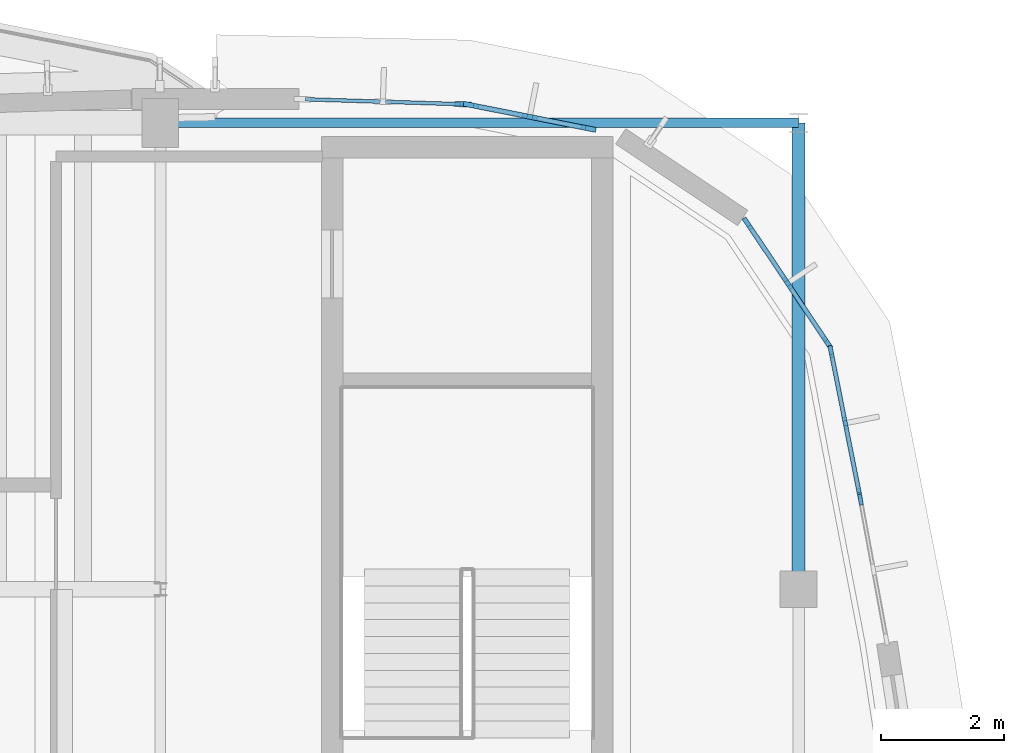
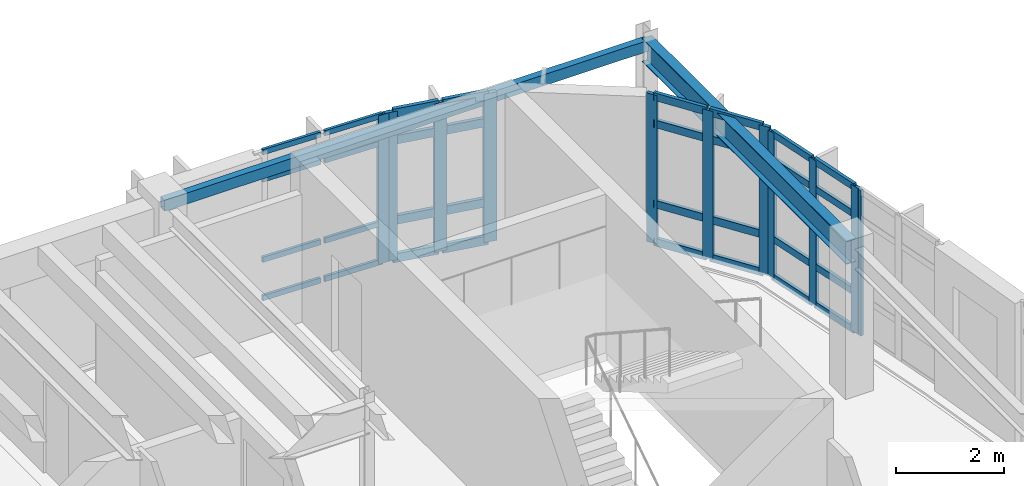
# One storey, part 11 of 20: 43 members, 2 beams, 5 elements without a shape of their own.
"""IFC4 building model written with IfcOpenShell, lengths in metres."""

from ifc_helpers import new_model, si_unit, direction, frame, origin, origin_2d, place, context, subcontext, project, spatial, rectangle, hollow_rectangle, i_section, extrude, material, material_profile, profile_set, type_object, element, aggregate, save


model = new_model("IFC4")

# Units and contexts
model_context = context("Model", 3, precision=1e-05, world=origin(), true_north=direction((0.0, 1.0)))
body_context = subcontext(model_context, "Body", "Model", "MODEL_VIEW")
ifc_project = project(units=[si_unit("LENGTHUNIT", "METRE"), si_unit("AREAUNIT", "SQUARE_METRE"), si_unit("VOLUMEUNIT", "CUBIC_METRE"), si_unit("PLANEANGLEUNIT", "RADIAN"), si_unit("MASSUNIT", "GRAM", prefix="KILO")], contexts=[model_context])

# Site, building, storey
site_placement = place(None, origin())
site = spatial("IfcSite", under=ifc_project, at=site_placement, CompositionType="ELEMENT")
building_placement = place(site_placement, origin())
building = spatial("IfcBuilding", under=site, at=building_placement, Name="Corveleigh Park Community Centre", CompositionType="ELEMENT")
storey_placement = place(building_placement, frame((0.0, 0.0, 16.199951171875)))
storey = spatial("IfcBuildingStorey", under=building, at=storey_placement, Name="L04", CompositionType="ELEMENT", Elevation=16.199951171875)

# Beam
ifc_material_1 = material(Name="Steel S355", Category="steel")
ifc_material_profile_1 = material_profile(ifc_material_1, i_section(OverallWidth=0.209228515625, OverallDepth=0.533203125, WebThickness=0.010009765625, FlangeThickness=0.015625, at=origin_2d()), Name="UKB 533x210x92", Category="steel")
ifc_profile_set_1 = profile_set([ifc_material_profile_1], Name="Steel S355")
beam_type_1 = type_object("IfcBeamType", Name="BM-STL-UKB533x92", PredefinedType="BEAM", material=ifc_profile_set_1)
beam_1_placement = place(storey_placement, frame((168.39990234375, 96.60498046875, 3.10546875), z_axis=(0.0, 1.0, 0.0), x_axis=(-1.0, 0.0, 0.0)))
element("IfcBeam", 1, at=beam_1_placement, inside=storey, type_object=beam_type_1, Name="V4 Girder Y", PredefinedType="BEAM", context=body_context, shape_type="SweptSolid", body=[
    extrude(i_section(OverallWidth=0.209228515625, OverallDepth=0.533203125, WebThickness=0.010009765625, FlangeThickness=0.015625, at=origin_2d()), origin(), (0.0, 0.0, 1.0), 7.590087890625),
])

# Curtain wall, member
ifc_material_2 = material(Name="Anodised aluminium 6063-T6", Category="aluminium")
curtain_wall_type = type_object("IfcCurtainWallType", Name="CW-SYS-V4-L03", PredefinedType="NOTDEFINED", material=ifc_material_2)
curtain_wall_1_placement = place(storey_placement, origin())
curtain_wall_1 = element("IfcCurtainWall", 2, at=curtain_wall_1_placement, inside=storey, type_object=curtain_wall_type, Name="V4 L04 Curtain Wall 452", PredefinedType="NOTDEFINED")
ifc_material_profile_2 = material_profile(ifc_material_2, rectangle(XDim=0.06494140625, YDim=0.179931640625, at=origin_2d()), Name="ALU-M65x180", Category="aluminium")
ifc_profile_set_2 = profile_set([ifc_material_profile_2], Name="Anodised aluminium 6063-T6")
member_type_1 = type_object("IfcMemberType", Name="CWM-65x180", PredefinedType="MULLION", material=ifc_profile_set_2)
member_1_placement = place(storey_placement, frame((169.406982421875, 98.06103515625, 0.0), z_axis=(0.0, 0.0, 1.0), x_axis=(0.983301463744, 0.181984151504, 0.0)))
member_1 = element("IfcMember", 3, at=member_1_placement, type_object=member_type_1, Name="CW09 mullion 1", PredefinedType="MULLION", context=body_context, shape_type="SweptSolid", body=[
    extrude(rectangle(XDim=0.06494140625, YDim=0.179931640625, at=origin_2d()), origin(), (0.0, 0.0, 1.0), 3.31201171875),
])
aggregate(curtain_wall_1, [member_1])

# Curtain wall, members
curtain_wall_2_placement = place(storey_placement, origin())
curtain_wall_2 = element("IfcCurtainWall", 4, at=curtain_wall_2_placement, inside=storey, type_object=curtain_wall_type, Name="V4 L04 Curtain Wall 453", PredefinedType="NOTDEFINED")
ifc_material_profile_3 = material_profile(ifc_material_2, rectangle(XDim=0.070068359375, YDim=0.199951171875, at=origin_2d()), Name="ALU-M70x200", Category="aluminium")
ifc_profile_set_3 = profile_set([ifc_material_profile_3], Name="Anodised aluminium 6063-T6")
member_type_2 = type_object("IfcMemberType", Name="CWM-70x200", PredefinedType="MULLION", material=ifc_profile_set_3)
member_2_placement = place(storey_placement, frame((168.9287109375, 100.470703125, 0.0), z_axis=(0.0, 0.0, 1.0), x_axis=(0.980784643134, 0.195093525756, 0.0)))
member_2 = element("IfcMember", 5, at=member_2_placement, type_object=member_type_2, Name="CW09 mullion 1", PredefinedType="MULLION", context=body_context, shape_type="SweptSolid", body=[
    extrude(rectangle(XDim=0.070068359375, YDim=0.199951171875, at=origin_2d()), origin(), (0.0, 0.0, 1.0), 3.31201171875),
])
member_3_placement = place(storey_placement, frame((169.160400390625, 99.305908203125, 0.0), z_axis=(0.0, 0.0, 1.0), x_axis=(0.980784643134, 0.195093525756, 0.0)))
member_3 = element("IfcMember", 6, at=member_3_placement, type_object=member_type_2, Name="CW09 mullion 2", PredefinedType="MULLION", context=body_context, shape_type="SweptSolid", body=[
    extrude(rectangle(XDim=0.070068359375, YDim=0.199951171875, at=origin_2d()), origin(), (0.0, 0.0, 1.0), 3.31201171875),
])
member_4_placement = place(storey_placement, frame((169.39208984375, 98.141357421875, 0.0), z_axis=(0.0, 0.0, 1.0), x_axis=(0.980784643134, 0.195093525756, 0.0)))
member_4 = element("IfcMember", 7, at=member_4_placement, type_object=member_type_2, Name="CW09 mullion 3", PredefinedType="MULLION", context=body_context, shape_type="SweptSolid", body=[
    extrude(rectangle(XDim=0.070068359375, YDim=0.199951171875, at=origin_2d()), origin(), (0.0, 0.0, 1.0), 3.31201171875),
])

curtain_wall_3_placement = place(storey_placement, origin())
curtain_wall_3 = element("IfcCurtainWall", 8, at=curtain_wall_3_placement, inside=storey, type_object=curtain_wall_type, Name="V4 L04 Curtain Wall 454", PredefinedType="NOTDEFINED")
ifc_material_profile_4 = material_profile(ifc_material_2, rectangle(XDim=0.074951171875, YDim=0.219970703125, at=origin_2d()), Name="ALU-M75x220", Category="aluminium")
ifc_profile_set_4 = profile_set([ifc_material_profile_4], Name="Anodised aluminium 6063-T6")
member_type_3 = type_object("IfcMemberType", Name="CWM-75x220", PredefinedType="MULLION", material=ifc_profile_set_4)
member_5_placement = place(storey_placement, frame((167.57080078125, 102.556884765625, 0.0), z_axis=(0.0, 0.0, 1.0), x_axis=(0.83141083453, 0.555658190101, 0.0)))
member_5 = element("IfcMember", 9, at=member_5_placement, type_object=member_type_3, Name="CW09 mullion 1", PredefinedType="MULLION", context=body_context, shape_type="SweptSolid", body=[
    extrude(rectangle(XDim=0.074951171875, YDim=0.219970703125, at=origin_2d()), origin(), (0.0, 0.0, 1.0), 3.3720703125),
])
member_6_placement = place(storey_placement, frame((168.218994140625, 101.5869140625, 0.0), z_axis=(0.0, 0.0, 1.0), x_axis=(0.83141083453, 0.555658190101, 0.0)))
member_6 = element("IfcMember", 10, at=member_6_placement, type_object=member_type_3, Name="CW09 mullion 2", PredefinedType="MULLION", context=body_context, shape_type="SweptSolid", body=[
    extrude(rectangle(XDim=0.074951171875, YDim=0.219970703125, at=origin_2d()), origin(), (0.0, 0.0, 1.0), 3.3720703125),
])
member_7_placement = place(storey_placement, frame((168.8671875, 100.6171875, 0.0), z_axis=(0.0, 0.0, 1.0), x_axis=(0.83141083453, 0.555658190101, 0.0)))
member_7 = element("IfcMember", 11, at=member_7_placement, type_object=member_type_3, Name="CW09 mullion 3", PredefinedType="MULLION", context=body_context, shape_type="SweptSolid", body=[
    extrude(rectangle(XDim=0.074951171875, YDim=0.219970703125, at=origin_2d()), origin(), (0.0, 0.0, 1.0), 3.3720703125),
])

curtain_wall_4_placement = place(storey_placement, origin())
curtain_wall_4 = element("IfcCurtainWall", 12, at=curtain_wall_4_placement, inside=storey, type_object=curtain_wall_type, Name="V4 L04 Curtain Wall 455", PredefinedType="NOTDEFINED")
ifc_material_profile_5 = material_profile(ifc_material_2, rectangle(XDim=0.080078125, YDim=0.25, at=origin_2d()), Name="ALU-M80x250", Category="aluminium")
ifc_profile_set_5 = profile_set([ifc_material_profile_5], Name="Anodised aluminium 6063-T6")
member_type_4 = type_object("IfcMemberType", Name="CWM-80x250", PredefinedType="MULLION", material=ifc_profile_set_5)
member_8_placement = place(storey_placement, frame((163.062255859375, 104.48828125, 0.0), z_axis=(0.0, 0.0, 1.0), x_axis=(0.195168256727, 0.980769775006, 0.0)))
member_8 = element("IfcMember", 13, at=member_8_placement, type_object=member_type_4, Name="CW09 mullion 1", PredefinedType="MULLION", context=body_context, shape_type="SweptSolid", body=[
    extrude(rectangle(XDim=0.080078125, YDim=0.25, at=origin_2d()), origin(), (0.0, 0.0, 1.0), 3.3720703125),
])
member_9_placement = place(storey_placement, frame((164.01806640625, 104.298095703125, 0.0), z_axis=(0.0, 0.0, 1.0), x_axis=(0.195168256727, 0.980769775006, 0.0)))
member_9 = element("IfcMember", 14, at=member_9_placement, type_object=member_type_4, Name="CW09 mullion 2", PredefinedType="MULLION", context=body_context, shape_type="SweptSolid", body=[
    extrude(rectangle(XDim=0.080078125, YDim=0.25, at=origin_2d()), origin(), (0.0, 0.0, 1.0), 3.3720703125),
])
member_10_placement = place(storey_placement, frame((164.973876953125, 104.10791015625, 0.0), z_axis=(0.0, 0.0, 1.0), x_axis=(0.195168256727, 0.980769775006, 0.0)))
member_10 = element("IfcMember", 15, at=member_10_placement, type_object=member_type_4, Name="CW09 mullion 3", PredefinedType="MULLION", context=body_context, shape_type="SweptSolid", body=[
    extrude(rectangle(XDim=0.080078125, YDim=0.25, at=origin_2d()), origin(), (0.0, 0.0, 1.0), 3.3720703125),
])

curtain_wall_5_placement = place(storey_placement, origin())
curtain_wall_5 = element("IfcCurtainWall", 16, at=curtain_wall_5_placement, inside=storey, type_object=curtain_wall_type, Name="V4 L04 Curtain Wall 456", PredefinedType="NOTDEFINED")
ifc_material_profile_6 = material_profile(ifc_material_2, rectangle(XDim=0.0849609375, YDim=0.27490234375, at=origin_2d()), Name="ALU-M85x275", Category="aluminium")
ifc_profile_set_6 = profile_set([ifc_material_profile_6], Name="Anodised aluminium 6063-T6")
member_type_5 = type_object("IfcMemberType", Name="CWM-85x275", PredefinedType="MULLION", material=ifc_profile_set_6)
member_11_placement = place(storey_placement, frame((162.9345703125, 104.50244140625, 0.0), z_axis=(0.0, 0.0, 1.0), x_axis=(0.031454254481, 0.99950519252, 0.0)))
member_11 = element("IfcMember", 17, at=member_11_placement, type_object=member_type_5, Name="CW09 mullion 3", PredefinedType="MULLION", context=body_context, shape_type="SweptSolid", body=[
    extrude(rectangle(XDim=0.0849609375, YDim=0.27490234375, at=origin_2d()), origin(), (0.0, 0.0, 1.0), 3.3720703125),
])
ifc_material_profile_7 = material_profile(ifc_material_2, rectangle(XDim=0.06005859375, YDim=0.1201171875, at=origin_2d()), Name="ALU-T60x120", Category="aluminium")
ifc_profile_set_7 = profile_set([ifc_material_profile_7], Name="Anodised aluminium 6063-T6")
member_type_6 = type_object("IfcMemberType", Name="CWT-60x120", PredefinedType="USERDEFINED", material=ifc_profile_set_7)
member_12_placement = place(storey_placement, frame((160.36083984375, 104.583251953125, 0.030029296875), z_axis=(0.999509347366, -0.031321949608, 0.0), x_axis=(0.031321949608, 0.999509347366, 0.0)))
member_12 = element("IfcMember", 18, at=member_12_placement, type_object=member_type_6, Name="CW09 transom 1.1", ObjectType="TRANSOM", PredefinedType="USERDEFINED", context=body_context, shape_type="SweptSolid", body=[
    extrude(rectangle(XDim=0.06005859375, YDim=0.1201171875, at=origin_2d()), origin(), (0.0, 0.0, 1.0), 1.2236328125),
])
member_13_placement = place(storey_placement, frame((160.36083984375, 104.583251953125, 0.900146484375), z_axis=(0.999509347366, -0.031321949608, 0.0), x_axis=(0.031321949608, 0.999509347366, 0.0)))
member_13 = element("IfcMember", 19, at=member_13_placement, type_object=member_type_6, Name="CW09 transom 1.2", ObjectType="TRANSOM", PredefinedType="USERDEFINED", context=body_context, shape_type="SweptSolid", body=[
    extrude(rectangle(XDim=0.06005859375, YDim=0.1201171875, at=origin_2d()), origin(), (0.0, 0.0, 1.0), 1.2236328125),
])
member_14_placement = place(storey_placement, frame((160.36083984375, 104.583251953125, 2.72216796875), z_axis=(0.999509347366, -0.031321949608, 0.0), x_axis=(0.031321949608, 0.999509347366, 0.0)))
member_14 = element("IfcMember", 20, at=member_14_placement, type_object=member_type_6, Name="CW09 transom 1.3", ObjectType="TRANSOM", PredefinedType="USERDEFINED", context=body_context, shape_type="SweptSolid", body=[
    extrude(rectangle(XDim=0.06005859375, YDim=0.1201171875, at=origin_2d()), origin(), (0.0, 0.0, 1.0), 1.2236328125),
])
member_15_placement = place(storey_placement, frame((160.36083984375, 104.583251953125, 3.342041015625), z_axis=(0.999509347366, -0.031321949608, 0.0), x_axis=(0.031321949608, 0.999509347366, 0.0)))
member_15 = element("IfcMember", 21, at=member_15_placement, type_object=member_type_6, Name="CW09 transom 1.4", ObjectType="TRANSOM", PredefinedType="USERDEFINED", context=body_context, shape_type="SweptSolid", body=[
    extrude(rectangle(XDim=0.06005859375, YDim=0.1201171875, at=origin_2d()), origin(), (0.0, 0.0, 1.0), 1.2236328125),
])
member_16_placement = place(storey_placement, frame((161.6689453125, 104.542236328125, 0.030029296875), z_axis=(0.999503081782, -0.031521254875, 0.0), x_axis=(0.031521254875, 0.999503081782, 0.0)))
member_16 = element("IfcMember", 22, at=member_16_placement, type_object=member_type_6, Name="CW09 transom 2.1", ObjectType="TRANSOM", PredefinedType="USERDEFINED", context=body_context, shape_type="SweptSolid", body=[
    extrude(rectangle(XDim=0.06005859375, YDim=0.1201171875, at=origin_2d()), origin(), (0.0, 0.0, 1.0), 1.2236328125),
])
member_17_placement = place(storey_placement, frame((161.6689453125, 104.542236328125, 0.900146484375), z_axis=(0.999503081782, -0.031521254875, 0.0), x_axis=(0.031521254875, 0.999503081782, 0.0)))
member_17 = element("IfcMember", 23, at=member_17_placement, type_object=member_type_6, Name="CW09 transom 2.2", ObjectType="TRANSOM", PredefinedType="USERDEFINED", context=body_context, shape_type="SweptSolid", body=[
    extrude(rectangle(XDim=0.06005859375, YDim=0.1201171875, at=origin_2d()), origin(), (0.0, 0.0, 1.0), 1.2236328125),
])
member_18_placement = place(storey_placement, frame((161.6689453125, 104.542236328125, 2.72216796875), z_axis=(0.999503081782, -0.031521254875, 0.0), x_axis=(0.031521254875, 0.999503081782, 0.0)))
member_18 = element("IfcMember", 24, at=member_18_placement, type_object=member_type_6, Name="CW09 transom 2.3", ObjectType="TRANSOM", PredefinedType="USERDEFINED", context=body_context, shape_type="SweptSolid", body=[
    extrude(rectangle(XDim=0.06005859375, YDim=0.1201171875, at=origin_2d()), origin(), (0.0, 0.0, 1.0), 1.2236328125),
])
member_19_placement = place(storey_placement, frame((161.6689453125, 104.542236328125, 3.342041015625), z_axis=(0.999503081782, -0.031521254875, 0.0), x_axis=(0.031521254875, 0.999503081782, 0.0)))
member_19 = element("IfcMember", 25, at=member_19_placement, type_object=member_type_6, Name="CW09 transom 2.4", ObjectType="TRANSOM", PredefinedType="USERDEFINED", context=body_context, shape_type="SweptSolid", body=[
    extrude(rectangle(XDim=0.06005859375, YDim=0.1201171875, at=origin_2d()), origin(), (0.0, 0.0, 1.0), 1.2236328125),
])
aggregate(curtain_wall_5, [member_11, member_12, member_13, member_14, member_15, member_16, member_17, member_18, member_19])

# Member
ifc_material_profile_8 = material_profile(ifc_material_2, rectangle(XDim=0.070068359375, YDim=0.155029296875, at=origin_2d()), Name="ALU-T70x155", Category="aluminium")
ifc_profile_set_8 = profile_set([ifc_material_profile_8], Name="Anodised aluminium 6063-T6")
member_type_7 = type_object("IfcMemberType", Name="CWT-70x155", PredefinedType="USERDEFINED", material=ifc_profile_set_8)
member_20_placement = place(storey_placement, frame((168.935546875, 100.436279296875, 0.03515625), z_axis=(0.195107636384, -0.980781836202, 0.0), x_axis=(0.980781836202, 0.195107636384, 0.0)))
member_20 = element("IfcMember", 26, at=member_20_placement, type_object=member_type_7, Name="CW09 transom 1.1", ObjectType="TRANSOM", PredefinedType="USERDEFINED", context=body_context, shape_type="SweptSolid", body=[
    extrude(rectangle(XDim=0.070068359375, YDim=0.155029296875, at=origin_2d()), origin(), (0.0, 0.0, 1.0), 1.117431640625),
])

member_21_placement = place(storey_placement, frame((168.935546875, 100.436279296875, 0.900146484375), z_axis=(0.195107636384, -0.980781836202, 0.0), x_axis=(0.980781836202, 0.195107636384, 0.0)))
member_21 = element("IfcMember", 27, at=member_21_placement, type_object=member_type_7, Name="CW09 transom 1.2", ObjectType="TRANSOM", PredefinedType="USERDEFINED", context=body_context, shape_type="SweptSolid", body=[
    extrude(rectangle(XDim=0.070068359375, YDim=0.155029296875, at=origin_2d()), origin(), (0.0, 0.0, 1.0), 1.117431640625),
])

member_22_placement = place(storey_placement, frame((168.935546875, 100.436279296875, 2.662109375), z_axis=(0.195107636384, -0.980781836202, 0.0), x_axis=(0.980781836202, 0.195107636384, 0.0)))
member_22 = element("IfcMember", 28, at=member_22_placement, type_object=member_type_7, Name="CW09 transom 1.3", ObjectType="TRANSOM", PredefinedType="USERDEFINED", context=body_context, shape_type="SweptSolid", body=[
    extrude(rectangle(XDim=0.070068359375, YDim=0.155029296875, at=origin_2d()), origin(), (0.0, 0.0, 1.0), 1.117431640625),
])

member_23_placement = place(storey_placement, frame((168.935546875, 100.436279296875, 3.277099609375), z_axis=(0.195107636384, -0.980781836202, 0.0), x_axis=(0.980781836202, 0.195107636384, 0.0)))
member_23 = element("IfcMember", 29, at=member_23_placement, type_object=member_type_7, Name="CW09 transom 1.4", ObjectType="TRANSOM", PredefinedType="USERDEFINED", context=body_context, shape_type="SweptSolid", body=[
    extrude(rectangle(XDim=0.070068359375, YDim=0.155029296875, at=origin_2d()), origin(), (0.0, 0.0, 1.0), 1.117431640625),
])

member_24_placement = place(storey_placement, frame((169.167236328125, 99.271728515625, 0.03515625), z_axis=(0.195065836192, -0.980790150619, 0.0), x_axis=(0.980790150619, 0.195065836192, 0.0)))
member_24 = element("IfcMember", 30, at=member_24_placement, type_object=member_type_7, Name="CW09 transom 2.1", ObjectType="TRANSOM", PredefinedType="USERDEFINED", context=body_context, shape_type="SweptSolid", body=[
    extrude(rectangle(XDim=0.070068359375, YDim=0.155029296875, at=origin_2d()), origin(), (0.0, 0.0, 1.0), 1.11767578125),
])

member_25_placement = place(storey_placement, frame((169.167236328125, 99.271728515625, 0.900146484375), z_axis=(0.195065836192, -0.980790150619, 0.0), x_axis=(0.980790150619, 0.195065836192, 0.0)))
member_25 = element("IfcMember", 31, at=member_25_placement, type_object=member_type_7, Name="CW09 transom 2.2", ObjectType="TRANSOM", PredefinedType="USERDEFINED", context=body_context, shape_type="SweptSolid", body=[
    extrude(rectangle(XDim=0.070068359375, YDim=0.155029296875, at=origin_2d()), origin(), (0.0, 0.0, 1.0), 1.11767578125),
])

member_26_placement = place(storey_placement, frame((169.167236328125, 99.271728515625, 2.662109375), z_axis=(0.195065836192, -0.980790150619, 0.0), x_axis=(0.980790150619, 0.195065836192, 0.0)))
member_26 = element("IfcMember", 32, at=member_26_placement, type_object=member_type_7, Name="CW09 transom 2.3", ObjectType="TRANSOM", PredefinedType="USERDEFINED", context=body_context, shape_type="SweptSolid", body=[
    extrude(rectangle(XDim=0.070068359375, YDim=0.155029296875, at=origin_2d()), origin(), (0.0, 0.0, 1.0), 1.11767578125),
])

member_27_placement = place(storey_placement, frame((169.167236328125, 99.271728515625, 3.277099609375), z_axis=(0.195065836192, -0.980790150619, 0.0), x_axis=(0.980790150619, 0.195065836192, 0.0)))
member_27 = element("IfcMember", 33, at=member_27_placement, type_object=member_type_7, Name="CW09 transom 2.4", ObjectType="TRANSOM", PredefinedType="USERDEFINED", context=body_context, shape_type="SweptSolid", body=[
    extrude(rectangle(XDim=0.070068359375, YDim=0.155029296875, at=origin_2d()), origin(), (0.0, 0.0, 1.0), 1.11767578125),
])

aggregate(curtain_wall_2, [member_2, member_3, member_4, member_20, member_21, member_22, member_23, member_24, member_25, member_26, member_27])

ifc_material_profile_9 = material_profile(ifc_material_2, rectangle(XDim=0.074951171875, YDim=0.175048828125, at=origin_2d()), Name="ALU-T75x175", Category="aluminium")
ifc_profile_set_9 = profile_set([ifc_material_profile_9], Name="Anodised aluminium 6063-T6")
member_type_8 = type_object("IfcMemberType", Name="CWT-75x175", PredefinedType="USERDEFINED", material=ifc_profile_set_9)
member_28_placement = place(storey_placement, frame((167.591552734375, 102.525634765625, 0.03759765625), z_axis=(0.555783593923, -0.831327009501, 0.0), x_axis=(0.831327009501, 0.555783593923, 0.0)))
member_28 = element("IfcMember", 34, at=member_28_placement, type_object=member_type_8, Name="CW09 transom 1.1", ObjectType="TRANSOM", PredefinedType="USERDEFINED", context=body_context, shape_type="SweptSolid", body=[
    extrude(rectangle(XDim=0.074951171875, YDim=0.175048828125, at=origin_2d()), origin(), (0.0, 0.0, 1.0), 1.091552734375),
])

member_29_placement = place(storey_placement, frame((167.591552734375, 102.525634765625, 0.900146484375), z_axis=(0.555783593923, -0.831327009501, 0.0), x_axis=(0.831327009501, 0.555783593923, 0.0)))
member_29 = element("IfcMember", 35, at=member_29_placement, type_object=member_type_8, Name="CW09 transom 1.2", ObjectType="TRANSOM", PredefinedType="USERDEFINED", context=body_context, shape_type="SweptSolid", body=[
    extrude(rectangle(XDim=0.074951171875, YDim=0.175048828125, at=origin_2d()), origin(), (0.0, 0.0, 1.0), 1.091552734375),
])

member_30_placement = place(storey_placement, frame((167.591552734375, 102.525634765625, 2.72216796875), z_axis=(0.555783593923, -0.831327009501, 0.0), x_axis=(0.831327009501, 0.555783593923, 0.0)))
member_30 = element("IfcMember", 36, at=member_30_placement, type_object=member_type_8, Name="CW09 transom 1.3", ObjectType="TRANSOM", PredefinedType="USERDEFINED", context=body_context, shape_type="SweptSolid", body=[
    extrude(rectangle(XDim=0.074951171875, YDim=0.175048828125, at=origin_2d()), origin(), (0.0, 0.0, 1.0), 1.091552734375),
])

member_31_placement = place(storey_placement, frame((167.591552734375, 102.525634765625, 3.33447265625), z_axis=(0.555783593923, -0.831327009501, 0.0), x_axis=(0.831327009501, 0.555783593923, 0.0)))
member_31 = element("IfcMember", 37, at=member_31_placement, type_object=member_type_8, Name="CW09 transom 1.4", ObjectType="TRANSOM", PredefinedType="USERDEFINED", context=body_context, shape_type="SweptSolid", body=[
    extrude(rectangle(XDim=0.074951171875, YDim=0.175048828125, at=origin_2d()), origin(), (0.0, 0.0, 1.0), 1.091552734375),
])

member_32_placement = place(storey_placement, frame((168.23974609375, 101.555908203125, 0.03759765625), z_axis=(0.555783593923, -0.831327009501, 0.0), x_axis=(0.831327009501, 0.555783593923, 0.0)))
member_32 = element("IfcMember", 38, at=member_32_placement, type_object=member_type_8, Name="CW09 transom 2.1", ObjectType="TRANSOM", PredefinedType="USERDEFINED", context=body_context, shape_type="SweptSolid", body=[
    extrude(rectangle(XDim=0.074951171875, YDim=0.175048828125, at=origin_2d()), origin(), (0.0, 0.0, 1.0), 1.091552734375),
])

member_33_placement = place(storey_placement, frame((168.23974609375, 101.555908203125, 0.900146484375), z_axis=(0.555783593923, -0.831327009501, 0.0), x_axis=(0.831327009501, 0.555783593923, 0.0)))
member_33 = element("IfcMember", 39, at=member_33_placement, type_object=member_type_8, Name="CW09 transom 2.2", ObjectType="TRANSOM", PredefinedType="USERDEFINED", context=body_context, shape_type="SweptSolid", body=[
    extrude(rectangle(XDim=0.074951171875, YDim=0.175048828125, at=origin_2d()), origin(), (0.0, 0.0, 1.0), 1.091552734375),
])

member_34_placement = place(storey_placement, frame((168.23974609375, 101.555908203125, 2.72216796875), z_axis=(0.555783593923, -0.831327009501, 0.0), x_axis=(0.831327009501, 0.555783593923, 0.0)))
member_34 = element("IfcMember", 40, at=member_34_placement, type_object=member_type_8, Name="CW09 transom 2.3", ObjectType="TRANSOM", PredefinedType="USERDEFINED", context=body_context, shape_type="SweptSolid", body=[
    extrude(rectangle(XDim=0.074951171875, YDim=0.175048828125, at=origin_2d()), origin(), (0.0, 0.0, 1.0), 1.091552734375),
])

member_35_placement = place(storey_placement, frame((168.23974609375, 101.555908203125, 3.33447265625), z_axis=(0.555783593923, -0.831327009501, 0.0), x_axis=(0.831327009501, 0.555783593923, 0.0)))
member_35 = element("IfcMember", 41, at=member_35_placement, type_object=member_type_8, Name="CW09 transom 2.4", ObjectType="TRANSOM", PredefinedType="USERDEFINED", context=body_context, shape_type="SweptSolid", body=[
    extrude(rectangle(XDim=0.074951171875, YDim=0.175048828125, at=origin_2d()), origin(), (0.0, 0.0, 1.0), 1.091552734375),
])

aggregate(curtain_wall_3, [member_5, member_6, member_7, member_28, member_29, member_30, member_31, member_32, member_33, member_34, member_35])

ifc_material_profile_10 = material_profile(ifc_material_2, rectangle(XDim=0.080078125, YDim=0.195068359375, at=origin_2d()), Name="ALU-T80x195", Category="aluminium")
ifc_profile_set_10 = profile_set([ifc_material_profile_10], Name="Anodised aluminium 6063-T6")
member_type_9 = type_object("IfcMemberType", Name="CWT-80x195", PredefinedType="USERDEFINED", material=ifc_profile_set_10)
member_36_placement = place(storey_placement, frame((163.1015625, 104.48046875, 0.0400390625), z_axis=(0.980769197363, -0.195171159509, 0.0), x_axis=(0.195171159509, 0.980769197363, 0.0)))
member_36 = element("IfcMember", 42, at=member_36_placement, type_object=member_type_9, Name="CW09 transom 1.1", ObjectType="TRANSOM", PredefinedType="USERDEFINED", context=body_context, shape_type="SweptSolid", body=[
    extrude(rectangle(XDim=0.080078125, YDim=0.195068359375, at=origin_2d()), origin(), (0.0, 0.0, 1.0), 0.894287109375),
])

member_37_placement = place(storey_placement, frame((163.1015625, 104.48046875, 0.900146484375), z_axis=(0.980769197363, -0.195171159509, 0.0), x_axis=(0.195171159509, 0.980769197363, 0.0)))
member_37 = element("IfcMember", 43, at=member_37_placement, type_object=member_type_9, Name="CW09 transom 1.2", ObjectType="TRANSOM", PredefinedType="USERDEFINED", context=body_context, shape_type="SweptSolid", body=[
    extrude(rectangle(XDim=0.080078125, YDim=0.195068359375, at=origin_2d()), origin(), (0.0, 0.0, 1.0), 0.894287109375),
])

member_38_placement = place(storey_placement, frame((163.1015625, 104.48046875, 2.72216796875), z_axis=(0.980769197363, -0.195171159509, 0.0), x_axis=(0.195171159509, 0.980769197363, 0.0)))
member_38 = element("IfcMember", 44, at=member_38_placement, type_object=member_type_9, Name="CW09 transom 1.3", ObjectType="TRANSOM", PredefinedType="USERDEFINED", context=body_context, shape_type="SweptSolid", body=[
    extrude(rectangle(XDim=0.080078125, YDim=0.195068359375, at=origin_2d()), origin(), (0.0, 0.0, 1.0), 0.894287109375),
])

member_39_placement = place(storey_placement, frame((163.1015625, 104.48046875, 3.33203125), z_axis=(0.980769197363, -0.195171159509, 0.0), x_axis=(0.195171159509, 0.980769197363, 0.0)))
member_39 = element("IfcMember", 45, at=member_39_placement, type_object=member_type_9, Name="CW09 transom 1.4", ObjectType="TRANSOM", PredefinedType="USERDEFINED", context=body_context, shape_type="SweptSolid", body=[
    extrude(rectangle(XDim=0.080078125, YDim=0.195068359375, at=origin_2d()), origin(), (0.0, 0.0, 1.0), 0.894287109375),
])

member_40_placement = place(storey_placement, frame((164.05712890625, 104.290283203125, 0.0400390625), z_axis=(0.980779590975, -0.195118922523, 0.0), x_axis=(0.195118922523, 0.980779590975, 0.0)))
member_40 = element("IfcMember", 46, at=member_40_placement, type_object=member_type_9, Name="CW09 transom 2.1", ObjectType="TRANSOM", PredefinedType="USERDEFINED", context=body_context, shape_type="SweptSolid", body=[
    extrude(rectangle(XDim=0.080078125, YDim=0.195068359375, at=origin_2d()), origin(), (0.0, 0.0, 1.0), 0.89453125),
])

member_41_placement = place(storey_placement, frame((164.05712890625, 104.290283203125, 0.900146484375), z_axis=(0.980779590975, -0.195118922523, 0.0), x_axis=(0.195118922523, 0.980779590975, 0.0)))
member_41 = element("IfcMember", 47, at=member_41_placement, type_object=member_type_9, Name="CW09 transom 2.2", ObjectType="TRANSOM", PredefinedType="USERDEFINED", context=body_context, shape_type="SweptSolid", body=[
    extrude(rectangle(XDim=0.080078125, YDim=0.195068359375, at=origin_2d()), origin(), (0.0, 0.0, 1.0), 0.89453125),
])

member_42_placement = place(storey_placement, frame((164.05712890625, 104.290283203125, 2.72216796875), z_axis=(0.980779590975, -0.195118922523, 0.0), x_axis=(0.195118922523, 0.980779590975, 0.0)))
member_42 = element("IfcMember", 48, at=member_42_placement, type_object=member_type_9, Name="CW09 transom 2.3", ObjectType="TRANSOM", PredefinedType="USERDEFINED", context=body_context, shape_type="SweptSolid", body=[
    extrude(rectangle(XDim=0.080078125, YDim=0.195068359375, at=origin_2d()), origin(), (0.0, 0.0, 1.0), 0.89453125),
])

member_43_placement = place(storey_placement, frame((164.05712890625, 104.290283203125, 3.33203125), z_axis=(0.980779590975, -0.195118922523, 0.0), x_axis=(0.195118922523, 0.980779590975, 0.0)))
member_43 = element("IfcMember", 49, at=member_43_placement, type_object=member_type_9, Name="CW09 transom 2.4", ObjectType="TRANSOM", PredefinedType="USERDEFINED", context=body_context, shape_type="SweptSolid", body=[
    extrude(rectangle(XDim=0.080078125, YDim=0.195068359375, at=origin_2d()), origin(), (0.0, 0.0, 1.0), 0.89453125),
])

aggregate(curtain_wall_4, [member_8, member_9, member_10, member_36, member_37, member_38, member_39, member_40, member_41, member_42, member_43])

# Beam
ifc_material_profile_11 = material_profile(ifc_material_1, hollow_rectangle(XDim=0.14990234375, YDim=0.25, WallThickness=0.010009765625, at=origin_2d()), Name="RHS 250x150x10.0", Category="steel")
ifc_profile_set_11 = profile_set([ifc_material_profile_11], Name="Steel S355")
beam_type_2 = type_object("IfcBeamType", Name="SP-STL-RHS250x150", PredefinedType="SPANDREL", material=ifc_profile_set_11)
beam_2_placement = place(storey_placement, frame((158.0048828125, 104.199951171875, 3.212158203125), z_axis=(1.0, 0.0, 0.0), x_axis=(0.0, 1.0, 0.0)))
element("IfcBeam", 50, at=beam_2_placement, inside=storey, type_object=beam_type_2, Name="V4 Girder X", PredefinedType="SPANDREL", context=body_context, shape_type="SweptSolid", body=[
    extrude(hollow_rectangle(XDim=0.14990234375, YDim=0.25, WallThickness=0.010009765625, at=origin_2d()), origin(), (0.0, 0.0, 1.0), 10.39013671875),
])

save(model, "model.ifc")
